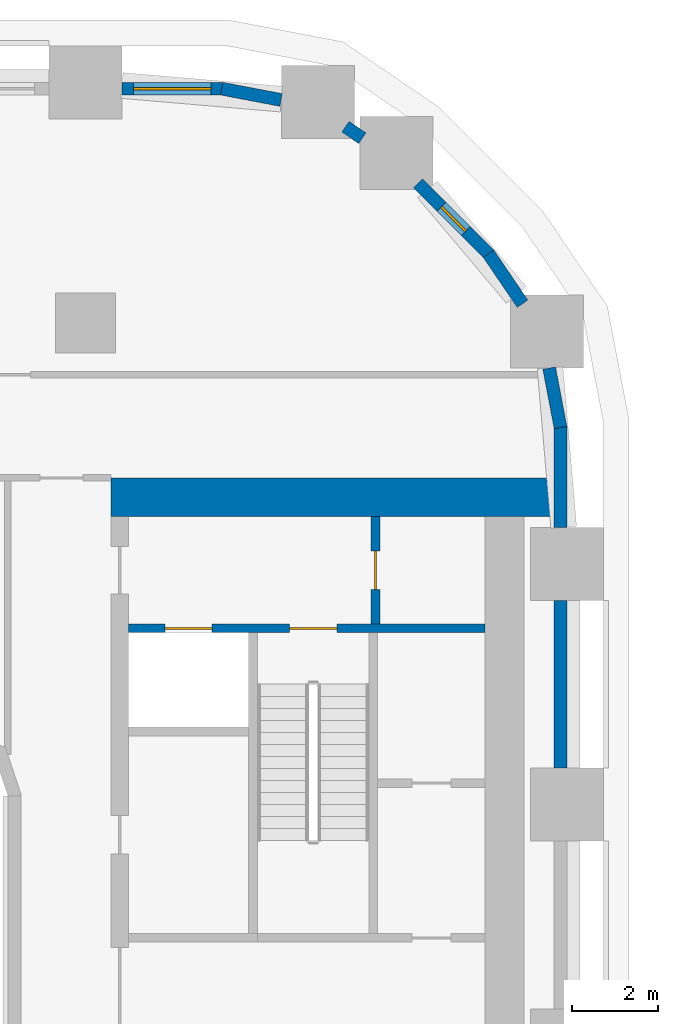
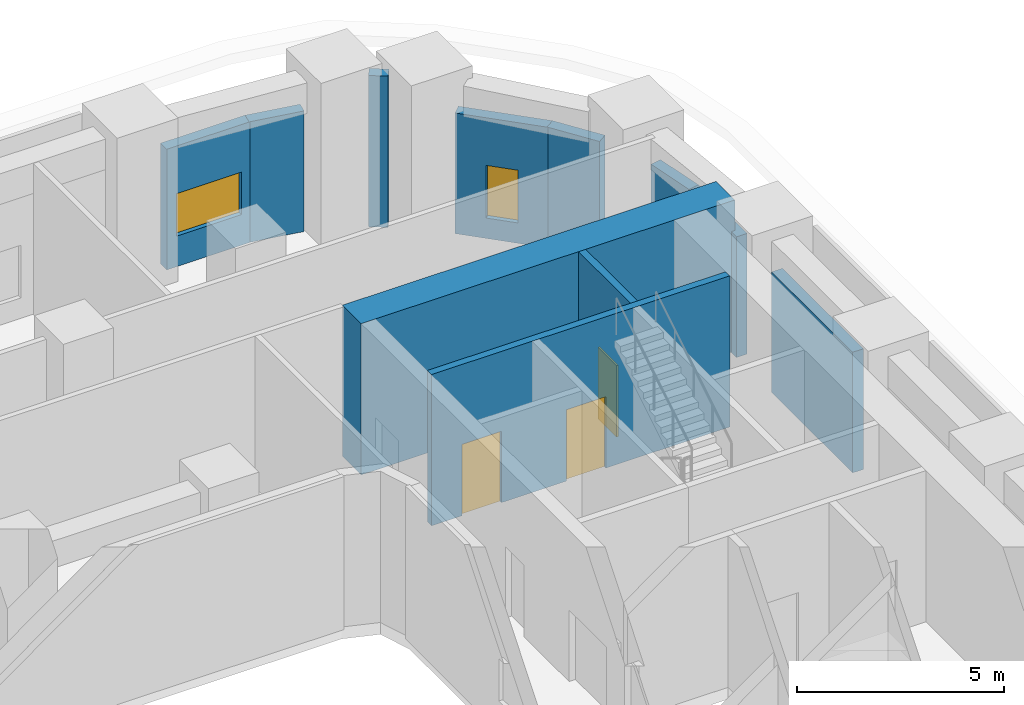
# One storey, part 26 of 35: 11 walls, 3 doors, 2 windows, 5 openings.
"""IFC4 building model written with IfcOpenShell, lengths in metres."""

from ifc_helpers import new_model, si_unit, direction, frame, frame_2d, origin, place, context, subcontext, project, spatial, rectangle, extrude, material, layer, layer_set, type_object, element, fill, save


model = new_model("IFC4")

# Units and contexts
model_context = context("Model", 3, precision=1e-05, world=origin(), true_north=direction((0.0, 1.0)))
body_context = subcontext(model_context, "Body", "Model", "MODEL_VIEW")
ifc_project = project(units=[si_unit("LENGTHUNIT", "METRE"), si_unit("AREAUNIT", "SQUARE_METRE"), si_unit("VOLUMEUNIT", "CUBIC_METRE"), si_unit("PLANEANGLEUNIT", "RADIAN"), si_unit("MASSUNIT", "GRAM", prefix="KILO")], contexts=[model_context])

# Site, building, storey
site_placement = place(None, origin())
site = spatial("IfcSite", under=ifc_project, at=site_placement, CompositionType="ELEMENT")
building_placement = place(site_placement, origin())
building = spatial("IfcBuilding", under=site, at=building_placement, Name="Kiln Ring Residences", CompositionType="ELEMENT")
storey_placement = place(building_placement, frame((0.0, 0.0, 20.89990234375)))
storey = spatial("IfcBuildingStorey", under=building, at=storey_placement, Name="L04", CompositionType="ELEMENT", Elevation=20.89990234375)

# Wall, opening, door
ifc_material_1 = material(Name="Gypsum board on steel studs", Category="steel")
ifc_layer_1 = layer(ifc_material_1, 0.199951171875)
ifc_layer_set_1 = layer_set([ifc_layer_1], Name="CORE-PARTITION-200")
wall_type_1 = type_object("IfcWallType", Name="CORE-PARTITION-200", PredefinedType="PARTITIONING", material=ifc_layer_set_1)
wall_1_placement = place(storey_placement, frame((23.550048828125, 9.800048828125, 0.0), z_axis=(0.0, 0.0, 1.0), x_axis=(0.0, 1.0, 0.0)))
wall_1 = element("IfcWall", 1, at=wall_1_placement, inside=storey, type_object=wall_type_1, Name="Core partition east L04 3", PredefinedType="PARTITIONING", context=body_context, shape_type="SweptSolid", body=[
    extrude(rectangle(XDim=2.5, YDim=0.199951171875, at=frame_2d((1.25, 0.0))), origin(), (0.0, 0.0, 1.0), 4.4501953125),
])
opening_1_placement = place(wall_1_placement, frame((0.800048828125, 0.0, 0.0)))
opening_1 = element("IfcOpeningElement", 2, at=opening_1_placement, cuts=wall_1, Name="Opening L04-CE09", PredefinedType="OPENING", context=body_context, shape_type="SweptSolid", body=[
    extrude(rectangle(XDim=0.89990234375, YDim=2.10009765625, at=frame_2d((0.449951171875, 1.050048828125))), frame((0.0, 0.10986328125, 0.0), z_axis=(0.0, -1.0, 0.0), x_axis=(1.0, 0.0, 0.0)), (0.0, 0.0, 1.0), 0.219970703125),
])
ifc_material_2 = material(Name="Steel door leaf", Category="steel")
door_type_1 = type_object("IfcDoorType", Name="CORE-DOOR-ROOM", OperationType="SINGLE_SWING_LEFT", PredefinedType="DOOR", material=ifc_material_2)
door_1_placement = place(opening_1_placement, origin())
door_1 = element("IfcDoor", 3, at=door_1_placement, inside=storey, type_object=door_type_1, Name="Fire riser room L04-CE09", OperationType="SINGLE_SWING_RIGHT", OverallHeight=2.10009765625, OverallWidth=0.89990234375, PredefinedType="DOOR", context=body_context, shape_type="SweptSolid", body=[
    extrude(rectangle(XDim=0.89990234375, YDim=2.10009765625, at=frame_2d((0.449951171875, 1.050048828125))), frame((0.0, 0.02490234375, 0.0), z_axis=(0.0, -1.0, 0.0), x_axis=(1.0, 0.0, 0.0)), (0.0, 0.0, 1.0), 0.050048828125),
])
fill(opening_1, door_1)

# Wall, openings, doors
ifc_material_3 = material(Name="Concrete C40/50", Category="concrete")
ifc_layer_2 = layer(ifc_material_3, 0.199951171875)
ifc_layer_set_2 = layer_set([ifc_layer_2], Name="CORE-WALL-RC200")
wall_type_2 = type_object("IfcWallType", Name="CORE-WALL-RC200", PredefinedType="SHEAR", material=ifc_layer_set_2)
wall_2_placement = place(storey_placement, frame((17.800048828125, 9.699951171875, 0.0), z_axis=(0.0, 0.0, 1.0), x_axis=(1.0, 0.0, 0.0)))
wall_2 = element("IfcWall", 4, at=wall_2_placement, inside=storey, type_object=wall_type_2, Name="Core wall east L04 9", PredefinedType="SHEAR", context=body_context, shape_type="SweptSolid", body=[
    extrude(rectangle(XDim=8.300048828125, YDim=0.199951171875, at=frame_2d((4.14990234375, 0.0))), origin(), (0.0, 0.0, 1.0), 4.4501953125),
])
opening_2_placement = place(wall_2_placement, frame((0.85009765625, 0.0, 0.0)))
opening_2 = element("IfcOpeningElement", 5, at=opening_2_placement, cuts=wall_2, Name="Opening L04-CE06", PredefinedType="OPENING", context=body_context, shape_type="SweptSolid", body=[
    extrude(rectangle(XDim=1.10009765625, YDim=2.10009765625, at=frame_2d((0.550048828125, 1.050048828125))), frame((0.0, 0.10986328125, 0.0), z_axis=(0.0, -1.0, 0.0), x_axis=(1.0, 0.0, 0.0)), (0.0, 0.0, 1.0), 0.219970703125),
])
opening_3_placement = place(wall_2_placement, frame((3.75, 0.0, 0.0)))
opening_3 = element("IfcOpeningElement", 6, at=opening_3_placement, cuts=wall_2, Name="Opening L04-CE11", PredefinedType="OPENING", context=body_context, shape_type="SweptSolid", body=[
    extrude(rectangle(XDim=1.10009765625, YDim=2.10009765625, at=frame_2d((0.550048828125, 1.050048828125))), frame((0.0, 0.10986328125, 0.0), z_axis=(0.0, -1.0, 0.0), x_axis=(1.0, 0.0, 0.0)), (0.0, 0.0, 1.0), 0.219970703125),
])
ifc_material_4 = material(Name="Steel door leaf", Category="steel")
door_type_2 = type_object("IfcDoorType", Name="CORE-DOOR-LD", OperationType="DOUBLE_DOOR_SLIDING", PredefinedType="DOOR", material=ifc_material_4)
door_2_placement = place(opening_2_placement, origin())
door_2 = element("IfcDoor", 7, at=door_2_placement, inside=storey, type_object=door_type_2, Name="LD E-FF L04-CE06", OperationType="DOUBLE_DOOR_SLIDING", OverallHeight=2.10009765625, OverallWidth=1.10009765625, PredefinedType="DOOR", context=body_context, shape_type="SweptSolid", body=[
    extrude(rectangle(XDim=1.10009765625, YDim=2.10009765625, at=frame_2d((0.550048828125, 1.050048828125))), frame((0.0, 0.02490234375, 0.0), z_axis=(0.0, -1.0, 0.0), x_axis=(1.0, 0.0, 0.0)), (0.0, 0.0, 1.0), 0.050048828125),
])
fill(opening_2, door_2)
ifc_material_5 = material(Name="Steel door leaf", Category="steel")
door_type_3 = type_object("IfcDoorType", Name="CORE-DOOR-STAIR", OperationType="SINGLE_SWING_LEFT", PredefinedType="DOOR", material=ifc_material_5)
door_3_placement = place(opening_3_placement, origin())
door_3 = element("IfcDoor", 8, at=door_3_placement, inside=storey, type_object=door_type_3, Name="Stair E-STN L04-CE11", OperationType="SINGLE_SWING_RIGHT", OverallHeight=2.10009765625, OverallWidth=1.10009765625, PredefinedType="DOOR", context=body_context, shape_type="SweptSolid", body=[
    extrude(rectangle(XDim=1.10009765625, YDim=2.10009765625, at=frame_2d((0.550048828125, 1.050048828125))), frame((0.0, 0.02490234375, 0.0), z_axis=(0.0, -1.0, 0.0), x_axis=(1.0, 0.0, 0.0)), (0.0, 0.0, 1.0), 0.050048828125),
])
fill(opening_3, door_3)

# Walls
ifc_material_6 = material(Name="Concrete C60/75", Category="concrete")
ifc_layer_3 = layer(ifc_material_6, 0.89990234375)
ifc_layer_set_3 = layer_set([ifc_layer_3], Name="CORE-WALL-RC900")
wall_type_3 = type_object("IfcWallType", Name="CORE-WALL-RC900", PredefinedType="SHEAR", material=ifc_layer_set_3)
wall_3_placement = place(storey_placement, frame((17.39990234375, 12.75, 0.0), z_axis=(0.0, 0.0, 1.0), x_axis=(1.0, 0.0, 0.0)))
element("IfcWall", 9, at=wall_3_placement, inside=storey, type_object=wall_type_3, Name="Core wall east L04 4", PredefinedType="SHEAR", context=body_context, shape_type="SweptSolid", body=[
    extrude(rectangle(XDim=10.400146484375, YDim=0.89990234375, at=frame_2d((5.2001953125, 0.0))), origin(), (0.0, 0.0, 1.0), 4.4501953125),
])
ifc_material_7 = material(Name="Brick masonry, dark clay brick", Category="masonry")
ifc_layer_4 = layer(ifc_material_7, 0.300048828125)
ifc_layer_set_4 = layer_set([ifc_layer_4], Name="EW-300 BRICK WALL")
wall_type_4 = type_object("IfcWallType", Name="EW-300 BRICK WALL", PredefinedType="SOLIDWALL", material=ifc_layer_set_4)
wall_4_placement = place(storey_placement, frame((27.85009765625, 6.449951171875, 0.0), z_axis=(0.0, 0.0, 1.0), x_axis=(0.0, 1.0, 0.0)))
element("IfcWall", 10, at=wall_4_placement, inside=storey, type_object=wall_type_4, Name="Facade wall L04 17", PredefinedType="SOLIDWALL", context=body_context, shape_type="SweptSolid", body=[
    extrude(rectangle(XDim=3.900146484375, YDim=0.300048828125, at=frame_2d((1.9501953125, 0.0))), origin(), (0.0, 0.0, 1.0), 3.550048828125),
])
wall_5_placement = place(storey_placement, frame((27.85009765625, 12.050048828125, 0.0), z_axis=(0.0, 0.0, 1.0), x_axis=(0.0, 1.0, 0.0)))
element("IfcWall", 11, at=wall_5_placement, inside=storey, type_object=wall_type_4, Name="Facade wall L04 18", PredefinedType="SOLIDWALL", context=body_context, shape_type="SweptSolid", body=[
    extrude(rectangle(XDim=2.349853515625, YDim=0.300048828125, at=frame_2d((1.1748046875, 0.0))), origin(), (0.0, 0.0, 1.0), 3.550048828125),
])
for number, where, z_axis, x_axis, name in (
    (12, (27.8525390625, 14.371826171875, 0.0), (0.0, 0.0, 1.0), (-0.187327504018, 0.982297514116, 0.0), "Facade wall L04 19"),
    (13, (26.96923828125, 17.249755859375, 0.0), (0.0, 0.0, 1.0), (-0.562010802008, 0.827129892112, 0.0), "Facade wall L04 20"),
):
    element("IfcWall", number, at=place(storey_placement, frame(where, z_axis=z_axis, x_axis=x_axis)), inside=storey, type_object=wall_type_4, Name=name, PredefinedType="SOLIDWALL", context=body_context, shape_type="SweptSolid", body=[
        extrude(rectangle(XDim=1.40625, YDim=0.300048828125, at=frame_2d((0.703125, 0.0))), origin(), (0.0, 0.0, 1.0), 3.550048828125),
    ])

# Wall, opening, window
wall_6_placement = place(storey_placement, frame((26.19677734375, 18.390869140625, 0.0), z_axis=(0.0, 0.0, 1.0), x_axis=(-0.707054835785, 0.707158722772, 0.0)))
wall_6 = element("IfcWall", 14, at=wall_6_placement, inside=storey, type_object=wall_type_4, Name="Facade wall L04 21", PredefinedType="SOLIDWALL", context=body_context, shape_type="SweptSolid", body=[
    extrude(rectangle(XDim=2.35009765625, YDim=0.300048828125, at=frame_2d((1.175048828125, 0.0))), origin(), (0.0, 0.0, 1.0), 3.550048828125),
])
opening_4_placement = place(wall_6_placement, frame((0.77490234375, 0.0, 0.60009765625)))
opening_4 = element("IfcOpeningElement", 15, at=opening_4_placement, cuts=wall_6, Name="Opening W5", PredefinedType="OPENING", context=body_context, shape_type="SweptSolid", body=[
    extrude(rectangle(XDim=0.800048828125, YDim=1.550048828125, at=frame_2d((0.39990234375, 0.77490234375))), frame((0.0, 0.159912109375, 0.0), z_axis=(0.0, -1.0, 0.0), x_axis=(1.0, 0.0, 0.0)), (0.0, 0.0, 1.0), 0.320068359375),
])
ifc_material_8 = material(Name="Aluminium frame with double glazing", Category="aluminium")
window_type_1 = type_object("IfcWindowType", Name="WINDOW 800 x 1550", PartitioningType="SINGLE_PANEL", PredefinedType="WINDOW", material=ifc_material_8)
window_1_placement = place(opening_4_placement, origin())
window_1 = element("IfcWindow", 16, at=window_1_placement, inside=storey, type_object=window_type_1, Name="Window L04 9", OverallHeight=1.550048828125, OverallWidth=0.800048828125, PartitioningType="SINGLE_PANEL", PredefinedType="WINDOW", context=body_context, shape_type="SweptSolid", body=[
    extrude(rectangle(XDim=0.800048828125, YDim=1.550048828125, at=frame_2d((0.39990234375, 0.77490234375))), frame((0.0, 0.030029296875, 0.0), z_axis=(0.0, -1.0, 0.0), x_axis=(1.0, 0.0, 0.0)), (0.0, 0.0, 1.0), 0.06005859375),
])
fill(opening_4, window_1)

# Walls
wall_7_placement = place(storey_placement, frame((23.244384765625, 21.10107421875, 0.0), z_axis=(0.0, 0.0, 1.0), x_axis=(-0.827135885329, 0.562001981492, 0.0)))
element("IfcWall", 17, at=wall_7_placement, inside=storey, type_object=wall_type_4, Name="Facade wall L04 22", PredefinedType="SOLIDWALL", context=body_context, shape_type="SweptSolid", body=[
    extrude(rectangle(XDim=0.47705078125, YDim=0.300048828125, at=frame_2d((0.238525390625, 0.0))), origin(), (0.0, 0.0, 1.0), 4.4501953125),
])
wall_8_placement = place(storey_placement, frame((21.35302734375, 21.9892578125, 0.0), z_axis=(0.0, 0.0, 1.0), x_axis=(-0.98229142023, 0.187359455971, 0.0)))
element("IfcWall", 18, at=wall_8_placement, inside=storey, type_object=wall_type_4, Name="Facade wall L04 23", PredefinedType="SOLIDWALL", context=body_context, shape_type="SweptSolid", body=[
    extrude(rectangle(XDim=1.406005859375, YDim=0.300048828125, at=frame_2d((0.703125, 0.0))), origin(), (0.0, 0.0, 1.0), 3.550048828125),
])

# Wall, opening, window
wall_9_placement = place(storey_placement, frame((20.0, 22.25, 0.0), z_axis=(0.0, 0.0, 1.0), x_axis=(-1.0, 0.0, 0.0)))
wall_9 = element("IfcWall", 19, at=wall_9_placement, inside=storey, type_object=wall_type_4, Name="Facade wall L04 24", PredefinedType="SOLIDWALL", context=body_context, shape_type="SweptSolid", body=[
    extrude(rectangle(XDim=2.35009765625, YDim=0.300048828125, at=frame_2d((1.175048828125, 0.0))), origin(), (0.0, 0.0, 1.0), 3.550048828125),
])
opening_5_placement = place(wall_9_placement, frame((0.27490234375, 0.0, 0.89990234375)))
opening_5 = element("IfcOpeningElement", 20, at=opening_5_placement, cuts=wall_9, Name="Opening W2", PredefinedType="OPENING", context=body_context, shape_type="SweptSolid", body=[
    extrude(rectangle(XDim=1.800048828125, YDim=1.25, at=frame_2d((0.89990234375, 0.625))), frame((0.0, 0.159912109375, 0.0), z_axis=(0.0, -1.0, 0.0), x_axis=(1.0, 0.0, 0.0)), (0.0, 0.0, 1.0), 0.320068359375),
])
ifc_material_9 = material(Name="Aluminium frame with double glazing", Category="aluminium")
window_type_2 = type_object("IfcWindowType", Name="WINDOW 1800 x 1250", PartitioningType="SINGLE_PANEL", PredefinedType="WINDOW", material=ifc_material_9)
window_2_placement = place(opening_5_placement, origin())
window_2 = element("IfcWindow", 21, at=window_2_placement, inside=storey, type_object=window_type_2, Name="Window L04 10", OverallHeight=1.25, OverallWidth=1.800048828125, PartitioningType="SINGLE_PANEL", PredefinedType="WINDOW", context=body_context, shape_type="SweptSolid", body=[
    extrude(rectangle(XDim=1.800048828125, YDim=1.25, at=frame_2d((0.89990234375, 0.625))), frame((0.0, 0.030029296875, 0.0), z_axis=(0.0, -1.0, 0.0), x_axis=(1.0, 0.0, 0.0)), (0.0, 0.0, 1.0), 0.06005859375),
])
fill(opening_5, window_2)

save(model, "model.ifc")
